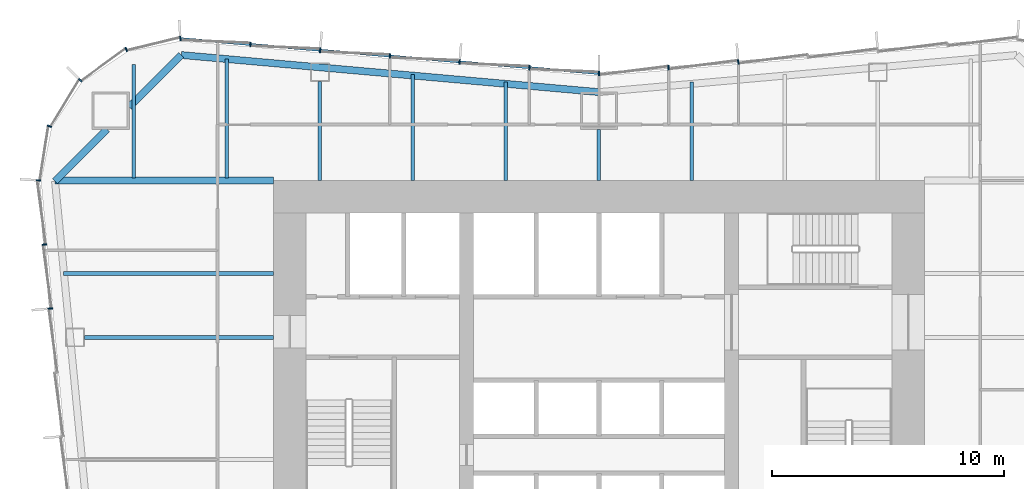
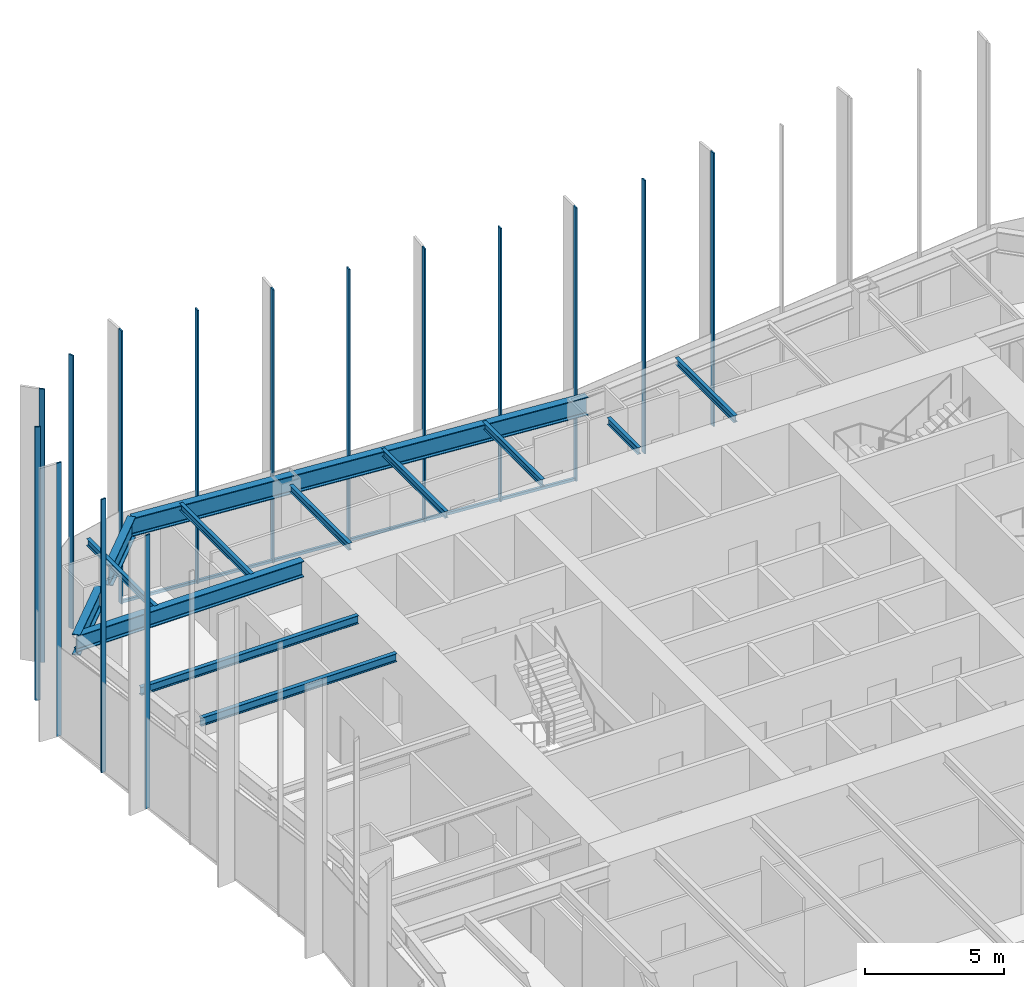
# One storey, part 6 of 13: 16 members, 13 beams, 3 elements without a shape of their own.
"""IFC4 building model written with IfcOpenShell, lengths in metres."""

from ifc_helpers import new_model, si_unit, direction, frame, origin, origin_2d, place, context, subcontext, project, spatial, rectangle, i_section, extrude, material, material_profile, profile_set, type_object, element, aggregate, save


model = new_model("IFC4")

# Units and contexts
model_context = context("Model", 3, precision=1e-05, world=origin(), true_north=direction((0.0, 1.0)))
body_context = subcontext(model_context, "Body", "Model", "MODEL_VIEW")
ifc_project = project(units=[si_unit("LENGTHUNIT", "METRE"), si_unit("AREAUNIT", "SQUARE_METRE"), si_unit("VOLUMEUNIT", "CUBIC_METRE"), si_unit("PLANEANGLEUNIT", "RADIAN"), si_unit("MASSUNIT", "GRAM", prefix="KILO")], contexts=[model_context])

# Site, building, storey
site_placement = place(None, origin())
site = spatial("IfcSite", under=ifc_project, at=site_placement, CompositionType="ELEMENT")
building_placement = place(site_placement, origin())
building = spatial("IfcBuilding", under=site, at=building_placement, Name="Verdant Reach Tower", CompositionType="ELEMENT")
storey_placement = place(building_placement, frame((0.0, 0.0, 14.0)))
storey = spatial("IfcBuildingStorey", under=building, at=storey_placement, Name="L02", CompositionType="ELEMENT", Elevation=14.0)

# Curtain wall, members
ifc_material_1 = material(Name="Anodised aluminium", Category="aluminium")
curtain_wall_type = type_object("IfcCurtainWallType", Name="EN-CW SYSTEM Z0", PredefinedType="NOTDEFINED", material=ifc_material_1)
curtain_wall_1_placement = place(storey_placement, origin())
curtain_wall_1 = element("IfcCurtainWall", 1, at=curtain_wall_1_placement, inside=storey, type_object=curtain_wall_type, Name="Curtain wall north, L02", PredefinedType="NOTDEFINED")
ifc_material_profile_1 = material_profile(ifc_material_1, rectangle(XDim=0.199951171875, YDim=0.06005859375, at=origin_2d()), Name="Mullion 60x200")
ifc_profile_set_1 = profile_set([ifc_material_profile_1], Name="Anodised aluminium")
member_type_1 = type_object("IfcMemberType", Name="EN-MULLION Z0", PredefinedType="MULLION", material=ifc_profile_set_1)
member_1_placement = place(storey_placement, frame((5.99169921875, 44.099609375, -0.35009765625), z_axis=(0.0, 0.0, 1.0), x_axis=(-0.083045479859, 0.996545758244, 0.0)))
member_1 = element("IfcMember", 2, at=member_1_placement, type_object=member_type_1, Name="Mullion north face part 1 5, L02", PredefinedType="MULLION", context=body_context, shape_type="SweptSolid", body=[
    extrude(rectangle(XDim=0.199951171875, YDim=0.06005859375, at=origin_2d()), origin(), (0.0, 0.0, 1.0), 12.0),
])
member_2_placement = place(storey_placement, frame((2.99169921875, 43.849609375, -0.35009765625), z_axis=(0.0, 0.0, 1.0), x_axis=(-0.083045479859, 0.996545758244, 0.0)))
member_2 = element("IfcMember", 3, at=member_2_placement, type_object=member_type_1, Name="Mullion north face part 1 6, L02", PredefinedType="MULLION", context=body_context, shape_type="SweptSolid", body=[
    extrude(rectangle(XDim=0.199951171875, YDim=0.06005859375, at=origin_2d()), origin(), (0.0, 0.0, 1.0), 12.0),
])
member_3_placement = place(storey_placement, frame((0.0, 43.60009765625, -0.35009765625), z_axis=(0.0, 0.0, 1.0), x_axis=(0.0, 1.0, 0.0)))
member_3 = element("IfcMember", 4, at=member_3_placement, type_object=member_type_1, Name="Mullion north face part 2 1, L02", PredefinedType="MULLION", context=body_context, shape_type="SweptSolid", body=[
    extrude(rectangle(XDim=0.199951171875, YDim=0.06005859375, at=origin_2d()), origin(), (0.0, 0.0, 1.0), 12.0),
])
member_4_placement = place(storey_placement, frame((-2.99169921875, 43.849609375, -0.35009765625), z_axis=(0.0, 0.0, 1.0), x_axis=(0.083045479859, 0.996545758244, 0.0)))
member_4 = element("IfcMember", 5, at=member_4_placement, type_object=member_type_1, Name="Mullion north face part 2 2, L02", PredefinedType="MULLION", context=body_context, shape_type="SweptSolid", body=[
    extrude(rectangle(XDim=0.199951171875, YDim=0.06005859375, at=origin_2d()), origin(), (0.0, 0.0, 1.0), 12.0),
])
member_5_placement = place(storey_placement, frame((-5.99169921875, 44.099609375, -0.35009765625), z_axis=(0.0, 0.0, 1.0), x_axis=(0.083045479859, 0.996545758244, 0.0)))
member_5 = element("IfcMember", 6, at=member_5_placement, type_object=member_type_1, Name="Mullion north face part 2 3, L02", PredefinedType="MULLION", context=body_context, shape_type="SweptSolid", body=[
    extrude(rectangle(XDim=0.199951171875, YDim=0.06005859375, at=origin_2d()), origin(), (0.0, 0.0, 1.0), 12.0),
])
member_6_placement = place(storey_placement, frame((-8.99169921875, 44.349609375, -0.35009765625), z_axis=(0.0, 0.0, 1.0), x_axis=(0.083045479859, 0.996545758244, 0.0)))
member_6 = element("IfcMember", 7, at=member_6_placement, type_object=member_type_1, Name="Mullion north face part 2 4, L02", PredefinedType="MULLION", context=body_context, shape_type="SweptSolid", body=[
    extrude(rectangle(XDim=0.199951171875, YDim=0.06005859375, at=origin_2d()), origin(), (0.0, 0.0, 1.0), 12.0),
])
member_7_placement = place(storey_placement, frame((-11.99169921875, 44.599609375, -0.35009765625), z_axis=(0.0, 0.0, 1.0), x_axis=(0.083045479859, 0.996545758244, 0.0)))
member_7 = element("IfcMember", 8, at=member_7_placement, type_object=member_type_1, Name="Mullion north face part 2 5, L02", PredefinedType="MULLION", context=body_context, shape_type="SweptSolid", body=[
    extrude(rectangle(XDim=0.199951171875, YDim=0.06005859375, at=origin_2d()), origin(), (0.0, 0.0, 1.0), 12.0),
])
member_8_placement = place(storey_placement, frame((-14.99169921875, 44.849609375, -0.35009765625), z_axis=(0.0, 0.0, 1.0), x_axis=(0.083045479859, 0.996545758244, 0.0)))
member_8 = element("IfcMember", 9, at=member_8_placement, type_object=member_type_1, Name="Mullion north face part 2 6, L02", PredefinedType="MULLION", context=body_context, shape_type="SweptSolid", body=[
    extrude(rectangle(XDim=0.199951171875, YDim=0.06005859375, at=origin_2d()), origin(), (0.0, 0.0, 1.0), 12.0),
])

curtain_wall_2_placement = place(storey_placement, origin())
curtain_wall_2 = element("IfcCurtainWall", 10, at=curtain_wall_2_placement, inside=storey, type_object=curtain_wall_type, Name="Curtain wall north-west corner, L02", PredefinedType="NOTDEFINED")
member_9_placement = place(storey_placement, frame((-18.005615234375, 45.099853515625, -0.35009765625), z_axis=(0.0, 0.0, 1.0), x_axis=(-0.056569187765, 0.998398681387, 0.0)))
member_9 = element("IfcMember", 11, at=member_9_placement, type_object=member_type_1, Name="Mullion north-west corner 1, L02", PredefinedType="MULLION", context=body_context, shape_type="SweptSolid", body=[
    extrude(rectangle(XDim=0.199951171875, YDim=0.06005859375, at=origin_2d()), origin(), (0.0, 0.0, 1.0), 12.0),
])
member_10_placement = place(storey_placement, frame((-20.33447265625, 44.6357421875, -0.35009765625), z_axis=(0.0, 0.0, 1.0), x_axis=(-0.382693853776, 0.923875215753, 0.0)))
member_10 = element("IfcMember", 12, at=member_10_placement, type_object=member_type_1, Name="Mullion north-west corner 2, L02", PredefinedType="MULLION", context=body_context, shape_type="SweptSolid", body=[
    extrude(rectangle(XDim=0.199951171875, YDim=0.06005859375, at=origin_2d()), origin(), (0.0, 0.0, 1.0), 12.0),
])
member_11_placement = place(storey_placement, frame((-22.313232421875, 43.313232421875, -0.35009765625), z_axis=(0.0, 0.0, 1.0), x_axis=(-0.707106781187, 0.707106781187, 0.0)))
member_11 = element("IfcMember", 13, at=member_11_placement, type_object=member_type_1, Name="Mullion north-west corner 3, L02", PredefinedType="MULLION", context=body_context, shape_type="SweptSolid", body=[
    extrude(rectangle(XDim=0.199951171875, YDim=0.06005859375, at=origin_2d()), origin(), (0.0, 0.0, 1.0), 12.0),
])
member_12_placement = place(storey_placement, frame((-23.6357421875, 41.33447265625, -0.35009765625), z_axis=(0.0, 0.0, 1.0), x_axis=(-0.923875215753, 0.382693853776, 0.0)))
member_12 = element("IfcMember", 14, at=member_12_placement, type_object=member_type_1, Name="Mullion north-west corner 4, L02", PredefinedType="MULLION", context=body_context, shape_type="SweptSolid", body=[
    extrude(rectangle(XDim=0.199951171875, YDim=0.06005859375, at=origin_2d()), origin(), (0.0, 0.0, 1.0), 12.0),
])
aggregate(curtain_wall_2, [member_9, member_10, member_11, member_12])

curtain_wall_3_placement = place(storey_placement, origin())
curtain_wall_3 = element("IfcCurtainWall", 15, at=curtain_wall_3_placement, inside=storey, type_object=curtain_wall_type, Name="Curtain wall west, L02", PredefinedType="NOTDEFINED")
member_13_placement = place(storey_placement, frame((-24.099853515625, 39.00537109375, -0.35009765625), z_axis=(0.0, 0.0, 1.0), x_axis=(-0.998604288049, 0.052815489107, 0.0)))
member_13 = element("IfcMember", 16, at=member_13_placement, type_object=member_type_1, Name="Mullion west face part 1 1, L02", PredefinedType="MULLION", context=body_context, shape_type="SweptSolid", body=[
    extrude(rectangle(XDim=0.199951171875, YDim=0.06005859375, at=origin_2d()), origin(), (0.0, 0.0, 1.0), 12.0),
])
member_14_placement = place(storey_placement, frame((-23.849609375, 36.240966796875, -0.35009765625), z_axis=(0.0, 0.0, 1.0), x_axis=(-0.995893206467, -0.090535746047, 0.0)))
member_14 = element("IfcMember", 17, at=member_14_placement, type_object=member_type_1, Name="Mullion west face part 1 2, L02", PredefinedType="MULLION", context=body_context, shape_type="SweptSolid", body=[
    extrude(rectangle(XDim=0.199951171875, YDim=0.06005859375, at=origin_2d()), origin(), (0.0, 0.0, 1.0), 12.0),
])
member_15_placement = place(storey_placement, frame((-23.599609375, 33.490966796875, -0.35009765625), z_axis=(0.0, 0.0, 1.0), x_axis=(-0.995893206467, -0.090535746047, 0.0)))
member_15 = element("IfcMember", 18, at=member_15_placement, type_object=member_type_1, Name="Mullion west face part 1 3, L02", PredefinedType="MULLION", context=body_context, shape_type="SweptSolid", body=[
    extrude(rectangle(XDim=0.199951171875, YDim=0.06005859375, at=origin_2d()), origin(), (0.0, 0.0, 1.0), 12.0),
])
aggregate(curtain_wall_3, [member_13, member_14, member_15])

# Member
ifc_material_profile_2 = material_profile(ifc_material_1, rectangle(XDim=0.10009765625, YDim=0.1201171875, at=origin_2d()), Name="Transom 120x100")
ifc_profile_set_2 = profile_set([ifc_material_profile_2], Name="Anodised aluminium")
member_type_2 = type_object("IfcMemberType", Name="EN-TRANSOM Z0", PredefinedType="USERDEFINED", material=ifc_profile_set_2)
member_16_placement = place(storey_placement, frame((-0.02978515625, 43.6025390625, -0.2900390625), z_axis=(-0.996548656072, 0.083010698588, 0.0), x_axis=(-0.083010698588, -0.996548656072, 0.0)))
member_16 = element("IfcMember", 19, at=member_16_placement, type_object=member_type_2, Name="Transom north face part 2 1.1, L02", ObjectType="TRANSOM", PredefinedType="USERDEFINED", context=body_context, shape_type="SweptSolid", body=[
    extrude(rectangle(XDim=0.10009765625, YDim=0.1201171875, at=origin_2d()), origin(), (0.0, 0.0, 1.0), 18.00830078125),
])

aggregate(curtain_wall_1, [member_1, member_2, member_3, member_4, member_5, member_6, member_7, member_8, member_16])

# Beams
ifc_material_2 = material(Name="Steel S355", Category="steel")
ifc_material_profile_3 = material_profile(ifc_material_2, i_section(OverallWidth=0.300048828125, OverallDepth=0.699951171875, WebThickness=0.01708984375, FlangeThickness=0.031982421875, FilletRadius=0.027099609375, at=origin_2d()), Name="HEB 700")
ifc_profile_set_3 = profile_set([ifc_material_profile_3], Name="Steel S355")
beam_type_1 = type_object("IfcBeamType", Name="ST-BEAM-HEB700", PredefinedType="BEAM", material=ifc_profile_set_3)
beam_1_placement = place(storey_placement, frame((-14.0, 39.0, 3.52001953125), z_axis=(-1.0, 0.0, 0.0), x_axis=(0.0, -1.0, 0.0)))
element("IfcBeam", 20, at=beam_1_placement, inside=storey, type_object=beam_type_1, Name="Trimmer beam, L02", PredefinedType="BEAM", context=body_context, shape_type="SweptSolid", body=[
    extrude(i_section(OverallWidth=0.300048828125, OverallDepth=0.699951171875, WebThickness=0.01708984375, FlangeThickness=0.031982421875, FilletRadius=0.027099609375, at=origin_2d()), origin(), (0.0, 0.0, 1.0), 9.38818359375),
])
ifc_material_profile_4 = material_profile(ifc_material_2, i_section(OverallWidth=0.14990234375, OverallDepth=0.300048828125, WebThickness=0.007080078125, FlangeThickness=0.0107421875, FilletRadius=0.014892578125, at=origin_2d()), Name="IPE 300")
ifc_profile_set_4 = profile_set([ifc_material_profile_4], Name="Steel S355")
beam_type_2 = type_object("IfcBeamType", Name="ST-JOIST-IPE300", PredefinedType="JOIST", material=ifc_profile_set_4)
beam_2_placement = place(storey_placement, frame((-20.0, 39.10009765625, 3.719970703125), z_axis=(0.0, 1.0, 0.0), x_axis=(-1.0, 0.0, 0.0)))
element("IfcBeam", 21, at=beam_2_placement, inside=storey, type_object=beam_type_2, Name="Floor joist, L02", PredefinedType="JOIST", context=body_context, shape_type="SweptSolid", body=[
    extrude(i_section(OverallWidth=0.14990234375, OverallDepth=0.300048828125, WebThickness=0.007080078125, FlangeThickness=0.0107421875, FilletRadius=0.014892578125, at=origin_2d()), origin(), (0.0, 0.0, 1.0), 4.890380859375),
])
beam_3_placement = place(storey_placement, frame((-16.0, 39.10009765625, 3.719970703125), z_axis=(0.0, 1.0, 0.0), x_axis=(-1.0, 0.0, 0.0)))
element("IfcBeam", 22, at=beam_3_placement, inside=storey, type_object=beam_type_2, Name="Floor joist, L02", PredefinedType="JOIST", context=body_context, shape_type="SweptSolid", body=[
    extrude(i_section(OverallWidth=0.14990234375, OverallDepth=0.300048828125, WebThickness=0.007080078125, FlangeThickness=0.0107421875, FilletRadius=0.014892578125, at=origin_2d()), origin(), (0.0, 0.0, 1.0), 5.131103515625),
])
beam_4_placement = place(storey_placement, frame((-12.0, 39.0, 3.719970703125), z_axis=(0.0, 1.0, 0.0), x_axis=(-1.0, 0.0, 0.0)))
element("IfcBeam", 23, at=beam_4_placement, inside=storey, type_object=beam_type_2, Name="Floor joist, L02", PredefinedType="JOIST", context=body_context, shape_type="SweptSolid", body=[
    extrude(i_section(OverallWidth=0.14990234375, OverallDepth=0.300048828125, WebThickness=0.007080078125, FlangeThickness=0.0107421875, FilletRadius=0.014892578125, at=origin_2d()), origin(), (0.0, 0.0, 1.0), 4.25),
])
beam_5_placement = place(storey_placement, frame((-8.0, 39.0, 3.719970703125), z_axis=(0.0, 1.0, 0.0), x_axis=(-1.0, 0.0, 0.0)))
element("IfcBeam", 24, at=beam_5_placement, inside=storey, type_object=beam_type_2, Name="Floor joist, L02", PredefinedType="JOIST", context=body_context, shape_type="SweptSolid", body=[
    extrude(i_section(OverallWidth=0.14990234375, OverallDepth=0.300048828125, WebThickness=0.007080078125, FlangeThickness=0.0107421875, FilletRadius=0.014892578125, at=origin_2d()), origin(), (0.0, 0.0, 1.0), 4.564697265625),
])
beam_6_placement = place(storey_placement, frame((-4.0, 39.0, 3.719970703125), z_axis=(0.0, 1.0, 0.0), x_axis=(-1.0, 0.0, 0.0)))
element("IfcBeam", 25, at=beam_6_placement, inside=storey, type_object=beam_type_2, Name="Floor joist, L02", PredefinedType="JOIST", context=body_context, shape_type="SweptSolid", body=[
    extrude(i_section(OverallWidth=0.14990234375, OverallDepth=0.300048828125, WebThickness=0.007080078125, FlangeThickness=0.0107421875, FilletRadius=0.014892578125, at=origin_2d()), origin(), (0.0, 0.0, 1.0), 4.231201171875),
])
beam_7_placement = place(storey_placement, frame((0.0, 39.0, 3.719970703125), z_axis=(0.0, 1.0, 0.0), x_axis=(-1.0, 0.0, 0.0)))
element("IfcBeam", 26, at=beam_7_placement, inside=storey, type_object=beam_type_2, Name="Floor joist, L02", PredefinedType="JOIST", context=body_context, shape_type="SweptSolid", body=[
    extrude(i_section(OverallWidth=0.14990234375, OverallDepth=0.300048828125, WebThickness=0.007080078125, FlangeThickness=0.0107421875, FilletRadius=0.014892578125, at=origin_2d()), origin(), (0.0, 0.0, 1.0), 2.199951171875),
])
beam_8_placement = place(storey_placement, frame((4.0, 39.0, 3.719970703125), z_axis=(0.0, 1.0, 0.0), x_axis=(-1.0, 0.0, 0.0)))
element("IfcBeam", 27, at=beam_8_placement, inside=storey, type_object=beam_type_2, Name="Floor joist, L02", PredefinedType="JOIST", context=body_context, shape_type="SweptSolid", body=[
    extrude(i_section(OverallWidth=0.14990234375, OverallDepth=0.300048828125, WebThickness=0.007080078125, FlangeThickness=0.0107421875, FilletRadius=0.014892578125, at=origin_2d()), origin(), (0.0, 0.0, 1.0), 4.231201171875),
])
ifc_material_profile_5 = material_profile(ifc_material_2, i_section(OverallWidth=0.169921875, OverallDepth=0.360107421875, WebThickness=0.008056640625, FlangeThickness=0.0126953125, FilletRadius=0.01806640625, at=origin_2d()), Name="IPE 360")
ifc_profile_set_5 = profile_set([ifc_material_profile_5], Name="Steel S355")
beam_type_3 = type_object("IfcBeamType", Name="ST-JOIST-IPE360", PredefinedType="JOIST", material=ifc_profile_set_5)
beam_9_placement = place(storey_placement, frame((-14.0, 32.25, 3.68994140625), z_axis=(-1.0, 0.0, 0.0), x_axis=(0.0, -1.0, 0.0)))
element("IfcBeam", 28, at=beam_9_placement, inside=storey, type_object=beam_type_3, Name="Floor joist, L02", PredefinedType="JOIST", context=body_context, shape_type="SweptSolid", body=[
    extrude(i_section(OverallWidth=0.169921875, OverallDepth=0.360107421875, WebThickness=0.008056640625, FlangeThickness=0.0126953125, FilletRadius=0.01806640625, at=origin_2d()), origin(), (0.0, 0.0, 1.0), 8.136474609375),
])
beam_10_placement = place(storey_placement, frame((-14.0, 35.0, 3.68994140625), z_axis=(-1.0, 0.0, 0.0), x_axis=(0.0, -1.0, 0.0)))
element("IfcBeam", 29, at=beam_10_placement, inside=storey, type_object=beam_type_3, Name="Floor joist, L02", PredefinedType="JOIST", context=body_context, shape_type="SweptSolid", body=[
    extrude(i_section(OverallWidth=0.169921875, OverallDepth=0.360107421875, WebThickness=0.008056640625, FlangeThickness=0.0126953125, FilletRadius=0.01806640625, at=origin_2d()), origin(), (0.0, 0.0, 1.0), 9.033935546875),
])
ifc_material_profile_6 = material_profile(ifc_material_2, i_section(OverallWidth=0.300048828125, OverallDepth=0.800048828125, WebThickness=0.017578125, FlangeThickness=0.032958984375, FilletRadius=0.030029296875, at=origin_2d()), Name="HEB 800")
ifc_profile_set_6 = profile_set([ifc_material_profile_6], Name="Steel S355")
beam_type_4 = type_object("IfcBeamType", Name="ST-SPANDREL-HEB800", PredefinedType="SPANDREL", material=ifc_profile_set_6)
beam_11_placement = place(storey_placement, frame((-17.9658203125, 44.39501953125, 3.469970703125), z_axis=(0.996082370463, -0.088430262084, 0.0), x_axis=(0.088430262084, 0.996082370463, 0.0)))
element("IfcBeam", 30, at=beam_11_placement, inside=storey, type_object=beam_type_4, Name="Edge beam, L02", PredefinedType="SPANDREL", context=body_context, shape_type="SweptSolid", body=[
    extrude(i_section(OverallWidth=0.300048828125, OverallDepth=0.800048828125, WebThickness=0.017578125, FlangeThickness=0.032958984375, FilletRadius=0.030029296875, at=origin_2d()), origin(), (0.0, 0.0, 1.0), 18.036376953125),
])
ifc_material_profile_7 = material_profile(ifc_material_2, i_section(OverallWidth=0.302001953125, OverallDepth=0.909912109375, WebThickness=0.02099609375, FlangeThickness=0.0400390625, FilletRadius=0.030029296875, at=origin_2d()), Name="HEM 900")
ifc_profile_set_7 = profile_set([ifc_material_profile_7], Name="Steel S355")
beam_type_5 = type_object("IfcBeamType", Name="ST-SPANDREL-HEM900", PredefinedType="SPANDREL", material=ifc_profile_set_7)
beam_12_placement = place(storey_placement, frame((-23.39453125, 38.968017578125, 3.4150390625), z_axis=(0.70722277322, 0.706990770123, 0.0), x_axis=(-0.706990770123, 0.70722277322, 0.0)))
element("IfcBeam", 31, at=beam_12_placement, inside=storey, type_object=beam_type_5, Name="Edge beam, L02", PredefinedType="SPANDREL", context=body_context, shape_type="SweptSolid", body=[
    extrude(i_section(OverallWidth=0.302001953125, OverallDepth=0.909912109375, WebThickness=0.02099609375, FlangeThickness=0.0400390625, FilletRadius=0.030029296875, at=origin_2d()), origin(), (0.0, 0.0, 1.0), 3.156982421875),
])
beam_13_placement = place(storey_placement, frame((-20.199951171875, 42.16162109375, 3.4150390625), z_axis=(0.707222697162, 0.706990846206, 0.0), x_axis=(-0.706990846206, 0.707222697162, 0.0)))
element("IfcBeam", 32, at=beam_13_placement, inside=storey, type_object=beam_type_5, Name="Edge beam, L02", PredefinedType="SPANDREL", context=body_context, shape_type="SweptSolid", body=[
    extrude(i_section(OverallWidth=0.302001953125, OverallDepth=0.909912109375, WebThickness=0.02099609375, FlangeThickness=0.0400390625, FilletRadius=0.030029296875, at=origin_2d()), origin(), (0.0, 0.0, 1.0), 3.158935546875),
])

save(model, "model.ifc")
